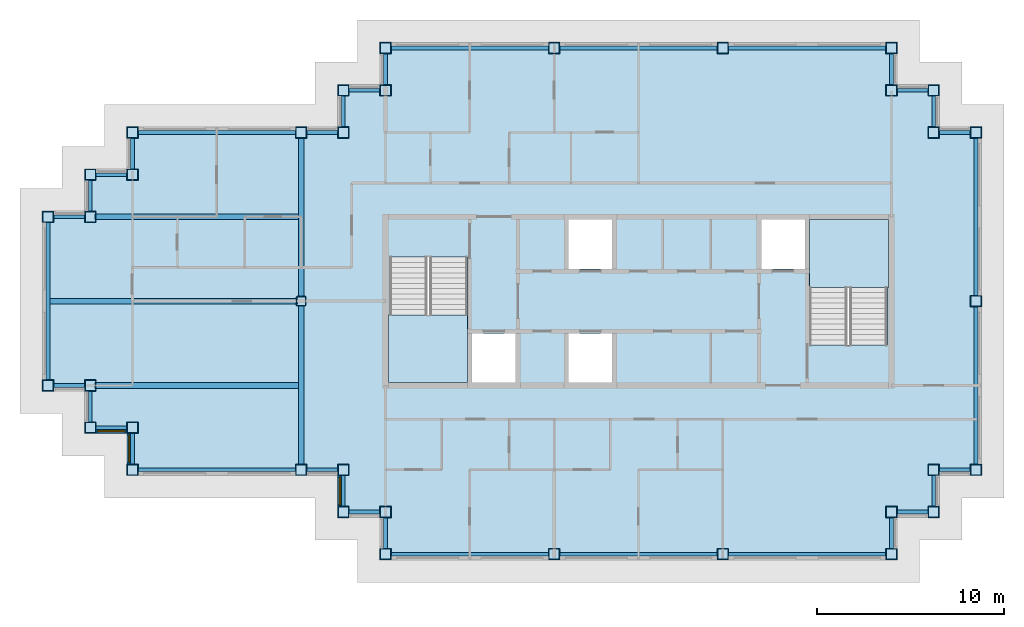
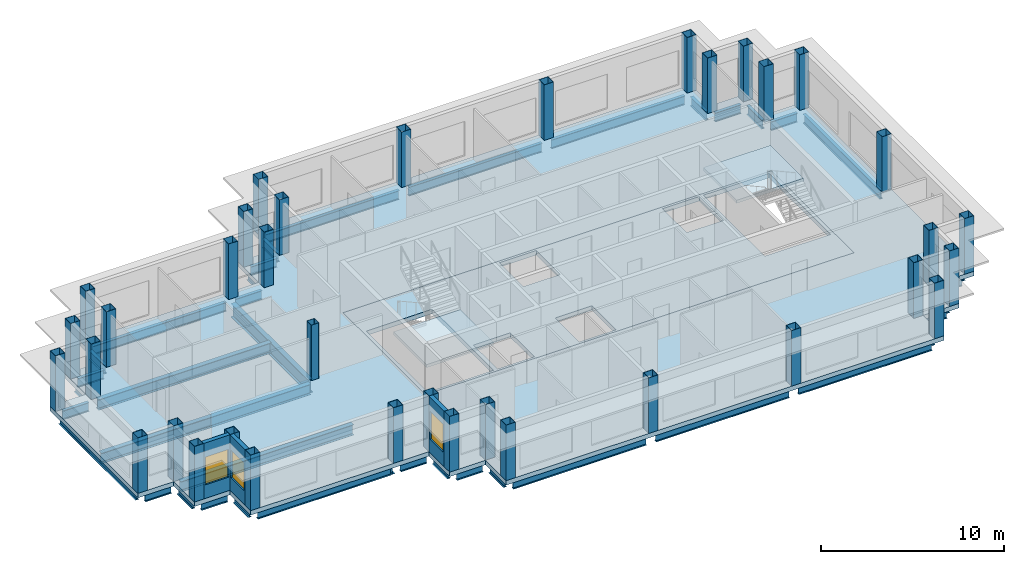
# One storey, part 1 of 11: 40 beams, 36 columns, 4 slabs, 3 walls, 3 windows, 3 openings, 2 elements without a shape of their own.
"""IFC4 building model written with IfcOpenShell, lengths in metres."""

from ifc_helpers import new_model, si_unit, direction, frame, frame_2d, origin, origin_2d, place, context, subcontext, project, spatial, polyline, rectangle, hollow_rectangle, i_section, outline, extrude, material, layer, layer_set, material_profile, profile_set, type_object, element, fill, aggregate, save


model = new_model("IFC4")

# Units and contexts
model_context = context("Model", 3, precision=1e-05, world=origin(), true_north=direction((0.0, 1.0)))
body_context = subcontext(model_context, "Body", "Model", "MODEL_VIEW")
ifc_project = project(units=[si_unit("LENGTHUNIT", "METRE"), si_unit("AREAUNIT", "SQUARE_METRE"), si_unit("VOLUMEUNIT", "CUBIC_METRE"), si_unit("PLANEANGLEUNIT", "RADIAN"), si_unit("MASSUNIT", "GRAM", prefix="KILO")], contexts=[model_context])

# Site, building, storey
site_placement = place(None, origin())
site = spatial("IfcSite", under=ifc_project, at=site_placement, CompositionType="ELEMENT")
building_placement = place(site_placement, origin())
building = spatial("IfcBuilding", under=site, at=building_placement, Name="Caravel Reach Hotel and Residences", CompositionType="ELEMENT")
storey_placement = place(building_placement, frame((0.0, 0.0, 256.39990234375)))
storey = spatial("IfcBuildingStorey", under=building, at=storey_placement, Name="L65", CompositionType="ELEMENT", Elevation=256.39990234375)

# Columns
ifc_material_1 = material(Name="Concrete-filled steel tube Q390B with Concrete C60 infill", Category="concrete")
ifc_material_profile_1 = material_profile(ifc_material_1, hollow_rectangle(XDim=0.5, YDim=0.5, WallThickness=0.01611328125, InnerFilletRadius=0.031982421875, OuterFilletRadius=0.048095703125, at=origin_2d()), Name="RHS 500x500x16")
ifc_profile_set_1 = profile_set([ifc_material_profile_1], Name="Concrete-filled steel tube Q390B with Concrete C60 infill")
column_type_1 = type_object("IfcColumnType", Name="CFT 500x500 Q390B C60", PredefinedType="COLUMN", material=ifc_profile_set_1)
column_placement = place(storey_placement, frame((13.5, 27.0, 0.0), z_axis=(0.0, 0.0, 1.0), x_axis=(1.0, 0.0, 0.0)))
element("IfcColumn", 1, at=column_placement, inside=storey, type_object=column_type_1, Name="C9 column", PredefinedType="COLUMN", context=body_context, shape_type="SweptSolid", body=[
    extrude(hollow_rectangle(XDim=0.5, YDim=0.5, WallThickness=0.01611328125, InnerFilletRadius=0.031982421875, OuterFilletRadius=0.048095703125, at=origin_2d()), origin(), (0.0, 0.0, 1.0), 3.7001953125),
])
ifc_material_2 = material(Name="Concrete-filled steel tube Q390B with Concrete C60 infill", Category="concrete")
ifc_material_profile_2 = material_profile(ifc_material_2, hollow_rectangle(XDim=0.60009765625, YDim=0.60009765625, WallThickness=0.02001953125, at=origin_2d()), Name="RHS 600x600x20")
ifc_profile_set_2 = profile_set([ifc_material_profile_2], Name="Concrete-filled steel tube Q390B with Concrete C60 infill")
column_type_2 = type_object("IfcColumnType", Name="CFT 600x600 Q390B C60", PredefinedType="COLUMN", material=ifc_profile_set_2)
for number, where, z_axis, x_axis, name in (
    (2, (15.75, 18.0, 0.0), (0.0, 0.0, 1.0), (1.0, 0.0, 0.0), "C8 column"),
    (3, (15.75, 15.75, 0.0), (0.0, 0.0, 1.0), (1.0, 0.0, 0.0), "C8 column"),
    (4, (18.0, 15.75, 0.0), (0.0, 0.0, 1.0), (1.0, 0.0, 0.0), "C8 column"),
    (5, (18.0, 13.5, 0.0), (0.0, 0.0, 1.0), (1.0, 0.0, 0.0), "C8 column"),
    (6, (27.0, 13.5, 0.0), (0.0, 0.0, 1.0), (1.0, 0.0, 0.0), "C8 column"),
    (7, (36.0, 13.5, 0.0), (0.0, 0.0, 1.0), (1.0, 0.0, 0.0), "C8 column"),
    (8, (45.0, 13.5, 0.0), (0.0, 0.0, 1.0), (1.0, 0.0, 0.0), "C8 column"),
    (9, (45.0, 15.75, 0.0), (0.0, 0.0, 1.0), (1.0, 0.0, 0.0), "C8 column"),
    (10, (47.25, 15.75, 0.0), (0.0, 0.0, 1.0), (1.0, 0.0, 0.0), "C8 column"),
    (11, (47.25, 18.0, 0.0), (0.0, 0.0, 1.0), (1.0, 0.0, 0.0), "C8 column"),
    (12, (49.5, 18.0, 0.0), (0.0, 0.0, 1.0), (1.0, 0.0, 0.0), "C8 column"),
    (13, (49.5, 27.0, 0.0), (0.0, 0.0, 1.0), (1.0, 0.0, 0.0), "C8 column"),
    (14, (49.5, 36.0, 0.0), (0.0, 0.0, 1.0), (1.0, 0.0, 0.0), "C8 column"),
    (15, (47.25, 36.0, 0.0), (0.0, 0.0, 1.0), (1.0, 0.0, 0.0), "C8 column"),
    (16, (47.25, 38.25, 0.0), (0.0, 0.0, 1.0), (1.0, 0.0, 0.0), "C8 column"),
    (17, (45.0, 38.25, 0.0), (0.0, 0.0, 1.0), (1.0, 0.0, 0.0), "C8 column"),
    (18, (45.0, 40.5, 0.0), (0.0, 0.0, 1.0), (1.0, 0.0, 0.0), "C8 column"),
    (19, (36.0, 40.5, 0.0), (0.0, 0.0, 1.0), (1.0, 0.0, 0.0), "C8 column"),
    (20, (27.0, 40.5, 0.0), (0.0, 0.0, 1.0), (1.0, 0.0, 0.0), "C8 column"),
    (21, (18.0, 40.5, 0.0), (0.0, 0.0, 1.0), (1.0, 0.0, 0.0), "C8 column"),
    (22, (18.0, 38.25, 0.0), (0.0, 0.0, 1.0), (1.0, 0.0, 0.0), "C8 column"),
    (23, (15.75, 38.25, 0.0), (0.0, 0.0, 1.0), (1.0, 0.0, 0.0), "C8 column"),
    (24, (15.75, 36.0, 0.0), (0.0, 0.0, 1.0), (1.0, 0.0, 0.0), "C8 column"),
    (25, (13.5, 36.0, 0.0), (0.0, 0.0, 1.0), (1.0, 0.0, 0.0), "C8 column"),
    (26, (4.5, 36.0, 0.0), (0.0, 0.0, 1.0), (1.0, 0.0, 0.0), "C8 column"),
    (27, (4.5, 33.75, 0.0), (0.0, 0.0, 1.0), (1.0, 0.0, 0.0), "C8 column"),
    (28, (2.25, 33.75, 0.0), (0.0, 0.0, 1.0), (1.0, 0.0, 0.0), "C8 column"),
    (29, (2.25, 31.5, 0.0), (0.0, 0.0, 1.0), (1.0, 0.0, 0.0), "C8 column"),
    (30, (0.0, 31.5, 0.0), (0.0, 0.0, 1.0), (1.0, 0.0, 0.0), "C8 column"),
    (31, (0.0, 22.5, 0.0), (0.0, 0.0, 1.0), (1.0, 0.0, 0.0), "C8 column"),
    (32, (2.25, 22.5, 0.0), (0.0, 0.0, 1.0), (1.0, 0.0, 0.0), "C8 column"),
    (33, (2.25, 20.25, 0.0), (0.0, 0.0, 1.0), (1.0, 0.0, 0.0), "C8 column"),
    (34, (4.5, 20.25, 0.0), (0.0, 0.0, 1.0), (1.0, 0.0, 0.0), "C8 column"),
    (35, (4.5, 18.0, 0.0), (0.0, 0.0, 1.0), (1.0, 0.0, 0.0), "C8 column"),
    (36, (13.5, 18.0, 0.0), (0.0, 0.0, 1.0), (1.0, 0.0, 0.0), "C8 column"),
):
    element("IfcColumn", number, at=place(storey_placement, frame(where, z_axis=z_axis, x_axis=x_axis)), inside=storey, type_object=column_type_2, Name=name, PredefinedType="COLUMN", context=body_context, shape_type="SweptSolid", body=[
        extrude(hollow_rectangle(XDim=0.60009765625, YDim=0.60009765625, WallThickness=0.02001953125, at=origin_2d()), origin(), (0.0, 0.0, 1.0), 3.7001953125),
    ])

# Beams
ifc_material_3 = material(Name="Structural steel Q355B", Category="steel")
ifc_material_profile_3 = material_profile(ifc_material_3, i_section(OverallWidth=0.300048828125, OverallDepth=0.699951171875, WebThickness=0.012939453125, FlangeThickness=0.02392578125, FilletRadius=0.01806640625, at=origin_2d()), Name="HN 700x300x13x24")
ifc_profile_set_3 = profile_set([ifc_material_profile_3], Name="Structural steel Q355B")
beam_type_1 = type_object("IfcBeamType", Name="Beam HN 700x300x13x24", PredefinedType="BEAM", material=ifc_profile_set_3)
beam_1_placement = place(storey_placement, frame((13.39990234375, 22.5, -0.64990234375), z_axis=(-1.0, 0.0, 0.0), x_axis=(0.0, -1.0, 0.0)))
element("IfcBeam", 37, at=beam_1_placement, inside=storey, type_object=beam_type_1, Name="B2 HN 700x300x13x24", PredefinedType="BEAM", context=body_context, shape_type="SweptSolid", body=[
    extrude(i_section(OverallWidth=0.300048828125, OverallDepth=0.699951171875, WebThickness=0.012939453125, FlangeThickness=0.02392578125, FilletRadius=0.01806640625, at=origin_2d()), origin(), (0.0, 0.0, 1.0), 10.89990234375),
])
beam_2_placement = place(storey_placement, frame((13.300048828125, 27.0, -0.64990234375), z_axis=(-1.0, 0.0, 0.0), x_axis=(0.0, -1.0, 0.0)))
element("IfcBeam", 38, at=beam_2_placement, inside=storey, type_object=beam_type_1, Name="B2 HN 700x300x13x24", PredefinedType="BEAM", context=body_context, shape_type="SweptSolid", body=[
    extrude(i_section(OverallWidth=0.300048828125, OverallDepth=0.699951171875, WebThickness=0.012939453125, FlangeThickness=0.02392578125, FilletRadius=0.01806640625, at=origin_2d()), origin(), (0.0, 0.0, 1.0), 13.199951171875),
])
beam_3_placement = place(storey_placement, frame((13.39990234375, 31.5, -0.64990234375), z_axis=(-1.0, 0.0, 0.0), x_axis=(0.0, -1.0, 0.0)))
element("IfcBeam", 39, at=beam_3_placement, inside=storey, type_object=beam_type_1, Name="B2 HN 700x300x13x24", PredefinedType="BEAM", context=body_context, shape_type="SweptSolid", body=[
    extrude(i_section(OverallWidth=0.300048828125, OverallDepth=0.699951171875, WebThickness=0.012939453125, FlangeThickness=0.02392578125, FilletRadius=0.01806640625, at=origin_2d()), origin(), (0.0, 0.0, 1.0), 10.89990234375),
])
ifc_material_4 = material(Name="Structural steel Q355B", Category="steel")
ifc_material_profile_4 = material_profile(ifc_material_4, i_section(OverallWidth=0.300048828125, OverallDepth=0.89990234375, WebThickness=0.01611328125, FlangeThickness=0.028076171875, FilletRadius=0.01806640625, at=origin_2d()), Name="HN 900x300x16x28")
ifc_profile_set_4 = profile_set([ifc_material_profile_4], Name="Structural steel Q355B")
beam_type_2 = type_object("IfcBeamType", Name="Beam HN 900x300x16x28", PredefinedType="BEAM", material=ifc_profile_set_4)
for number, where, z_axis, x_axis, name in (
    (40, (13.5, 18.300048828125, -0.75), (0.0, 1.0, 0.0), (-1.0, 0.0, 0.0), "B3 HN 900x300x16x28"),
    (41, (13.5, 27.25, -0.75), (0.0, 1.0, 0.0), (-1.0, 0.0, 0.0), "B3 HN 900x300x16x28"),
):
    element("IfcBeam", number, at=place(storey_placement, frame(where, z_axis=z_axis, x_axis=x_axis)), inside=storey, type_object=beam_type_2, Name=name, PredefinedType="BEAM", context=body_context, shape_type="SweptSolid", body=[
        extrude(i_section(OverallWidth=0.300048828125, OverallDepth=0.89990234375, WebThickness=0.01611328125, FlangeThickness=0.028076171875, FilletRadius=0.01806640625, at=origin_2d()), origin(), (0.0, 0.0, 1.0), 8.449951171875),
    ])
ifc_material_5 = material(Name="Structural steel Q355B", Category="steel")
ifc_material_profile_5 = material_profile(ifc_material_5, i_section(OverallWidth=0.199951171875, OverallDepth=0.60009765625, WebThickness=0.010986328125, FlangeThickness=0.01708984375, FilletRadius=0.012939453125, at=origin_2d()), Name="HN 600x200x11x17")
ifc_profile_set_5 = profile_set([ifc_material_profile_5], Name="Structural steel Q355B")
beam_type_3 = type_object("IfcBeamType", Name="Spandrel beam HN 600x200x11x17", PredefinedType="SPANDREL", material=ifc_profile_set_5)
for number, where, z_axis, x_axis, name in (
    (42, (15.75, 17.699951171875, -0.599853515625), (0.0, -1.0, 0.0), (1.0, 0.0, 0.0), "SP1 HN 600x200x11x17"),
    (43, (16.050048828125, 15.75, -0.599853515625), (1.0, 0.0, 0.0), (0.0, 1.0, 0.0), "SP1 HN 600x200x11x17"),
    (44, (18.0, 15.449951171875, -0.599853515625), (0.0, -1.0, 0.0), (1.0, 0.0, 0.0), "SP1 HN 600x200x11x17"),
):
    element("IfcBeam", number, at=place(storey_placement, frame(where, z_axis=z_axis, x_axis=x_axis)), inside=storey, type_object=beam_type_3, Name=name, PredefinedType="SPANDREL", context=body_context, shape_type="SweptSolid", body=[
        extrude(i_section(OverallWidth=0.199951171875, OverallDepth=0.60009765625, WebThickness=0.010986328125, FlangeThickness=0.01708984375, FilletRadius=0.012939453125, at=origin_2d()), origin(), (0.0, 0.0, 1.0), 1.64990234375),
    ])
for number, where, z_axis, x_axis, name in (
    (45, (18.300048828125, 13.5, -0.599853515625), (1.0, 0.0, 0.0), (0.0, 1.0, 0.0), "SP1 HN 600x200x11x17"),
    (46, (27.300048828125, 13.5, -0.599853515625), (1.0, 0.0, 0.0), (0.0, 1.0, 0.0), "SP1 HN 600x200x11x17"),
    (47, (36.300048828125, 13.5, -0.599853515625), (1.0, 0.0, 0.0), (0.0, 1.0, 0.0), "SP1 HN 600x200x11x17"),
):
    element("IfcBeam", number, at=place(storey_placement, frame(where, z_axis=z_axis, x_axis=x_axis)), inside=storey, type_object=beam_type_3, Name=name, PredefinedType="SPANDREL", context=body_context, shape_type="SweptSolid", body=[
        extrude(i_section(OverallWidth=0.199951171875, OverallDepth=0.60009765625, WebThickness=0.010986328125, FlangeThickness=0.01708984375, FilletRadius=0.012939453125, at=origin_2d()), origin(), (0.0, 0.0, 1.0), 8.39990234375),
    ])
for number, where, z_axis, x_axis, name in (
    (48, (45.0, 13.800048828125, -0.599853515625), (0.0, 1.0, 0.0), (-1.0, 0.0, 0.0), "SP1 HN 600x200x11x17"),
    (49, (45.300048828125, 15.75, -0.599853515625), (1.0, 0.0, 0.0), (0.0, 1.0, 0.0), "SP1 HN 600x200x11x17"),
    (50, (47.25, 16.050048828125, -0.599853515625), (0.0, 1.0, 0.0), (-1.0, 0.0, 0.0), "SP1 HN 600x200x11x17"),
    (51, (47.550048828125, 18.0, -0.599853515625), (1.0, 0.0, 0.0), (0.0, 1.0, 0.0), "SP1 HN 600x200x11x17"),
):
    element("IfcBeam", number, at=place(storey_placement, frame(where, z_axis=z_axis, x_axis=x_axis)), inside=storey, type_object=beam_type_3, Name=name, PredefinedType="SPANDREL", context=body_context, shape_type="SweptSolid", body=[
        extrude(i_section(OverallWidth=0.199951171875, OverallDepth=0.60009765625, WebThickness=0.010986328125, FlangeThickness=0.01708984375, FilletRadius=0.012939453125, at=origin_2d()), origin(), (0.0, 0.0, 1.0), 1.64990234375),
    ])
for number, where, z_axis, x_axis, name in (
    (52, (49.5, 18.300048828125, -0.599853515625), (0.0, 1.0, 0.0), (-1.0, 0.0, 0.0), "SP1 HN 600x200x11x17"),
    (53, (49.5, 27.300048828125, -0.599853515625), (0.0, 1.0, 0.0), (-1.0, 0.0, 0.0), "SP1 HN 600x200x11x17"),
):
    element("IfcBeam", number, at=place(storey_placement, frame(where, z_axis=z_axis, x_axis=x_axis)), inside=storey, type_object=beam_type_3, Name=name, PredefinedType="SPANDREL", context=body_context, shape_type="SweptSolid", body=[
        extrude(i_section(OverallWidth=0.199951171875, OverallDepth=0.60009765625, WebThickness=0.010986328125, FlangeThickness=0.01708984375, FilletRadius=0.012939453125, at=origin_2d()), origin(), (0.0, 0.0, 1.0), 8.39990234375),
    ])
for number, where, z_axis, x_axis, name in (
    (54, (49.199951171875, 36.0, -0.599853515625), (-1.0, 0.0, 0.0), (0.0, -1.0, 0.0), "SP1 HN 600x200x11x17"),
    (55, (47.25, 36.300048828125, -0.599853515625), (0.0, 1.0, 0.0), (-1.0, 0.0, 0.0), "SP1 HN 600x200x11x17"),
    (56, (46.949951171875, 38.25, -0.599853515625), (-1.0, 0.0, 0.0), (0.0, -1.0, 0.0), "SP1 HN 600x200x11x17"),
    (57, (45.0, 38.550048828125, -0.599853515625), (0.0, 1.0, 0.0), (-1.0, 0.0, 0.0), "SP1 HN 600x200x11x17"),
):
    element("IfcBeam", number, at=place(storey_placement, frame(where, z_axis=z_axis, x_axis=x_axis)), inside=storey, type_object=beam_type_3, Name=name, PredefinedType="SPANDREL", context=body_context, shape_type="SweptSolid", body=[
        extrude(i_section(OverallWidth=0.199951171875, OverallDepth=0.60009765625, WebThickness=0.010986328125, FlangeThickness=0.01708984375, FilletRadius=0.012939453125, at=origin_2d()), origin(), (0.0, 0.0, 1.0), 1.64990234375),
    ])
for number, where, z_axis, x_axis, name in (
    (58, (44.699951171875, 40.5, -0.599853515625), (-1.0, 0.0, 0.0), (0.0, -1.0, 0.0), "SP1 HN 600x200x11x17"),
    (59, (35.699951171875, 40.5, -0.599853515625), (-1.0, 0.0, 0.0), (0.0, -1.0, 0.0), "SP1 HN 600x200x11x17"),
    (60, (26.699951171875, 40.5, -0.599853515625), (-1.0, 0.0, 0.0), (0.0, -1.0, 0.0), "SP1 HN 600x200x11x17"),
):
    element("IfcBeam", number, at=place(storey_placement, frame(where, z_axis=z_axis, x_axis=x_axis)), inside=storey, type_object=beam_type_3, Name=name, PredefinedType="SPANDREL", context=body_context, shape_type="SweptSolid", body=[
        extrude(i_section(OverallWidth=0.199951171875, OverallDepth=0.60009765625, WebThickness=0.010986328125, FlangeThickness=0.01708984375, FilletRadius=0.012939453125, at=origin_2d()), origin(), (0.0, 0.0, 1.0), 8.39990234375),
    ])
for number, where, z_axis, x_axis, name in (
    (61, (18.0, 40.199951171875, -0.599853515625), (0.0, -1.0, 0.0), (1.0, 0.0, 0.0), "SP1 HN 600x200x11x17"),
    (62, (17.699951171875, 38.25, -0.599853515625), (-1.0, 0.0, 0.0), (0.0, -1.0, 0.0), "SP1 HN 600x200x11x17"),
    (63, (15.75, 37.949951171875, -0.599853515625), (0.0, -1.0, 0.0), (1.0, 0.0, 0.0), "SP1 HN 600x200x11x17"),
    (64, (15.449951171875, 36.0, -0.599853515625), (-1.0, 0.0, 0.0), (0.0, -1.0, 0.0), "SP1 HN 600x200x11x17"),
):
    element("IfcBeam", number, at=place(storey_placement, frame(where, z_axis=z_axis, x_axis=x_axis)), inside=storey, type_object=beam_type_3, Name=name, PredefinedType="SPANDREL", context=body_context, shape_type="SweptSolid", body=[
        extrude(i_section(OverallWidth=0.199951171875, OverallDepth=0.60009765625, WebThickness=0.010986328125, FlangeThickness=0.01708984375, FilletRadius=0.012939453125, at=origin_2d()), origin(), (0.0, 0.0, 1.0), 1.64990234375),
    ])
beam_4_placement = place(storey_placement, frame((13.199951171875, 36.0, -0.599853515625), z_axis=(-1.0, 0.0, 0.0), x_axis=(0.0, -1.0, 0.0)))
element("IfcBeam", 65, at=beam_4_placement, inside=storey, type_object=beam_type_3, Name="SP1 HN 600x200x11x17", PredefinedType="SPANDREL", context=body_context, shape_type="SweptSolid", body=[
    extrude(i_section(OverallWidth=0.199951171875, OverallDepth=0.60009765625, WebThickness=0.010986328125, FlangeThickness=0.01708984375, FilletRadius=0.012939453125, at=origin_2d()), origin(), (0.0, 0.0, 1.0), 8.39990234375),
])
for number, where, z_axis, x_axis, name in (
    (66, (4.5, 35.699951171875, -0.599853515625), (0.0, -1.0, 0.0), (1.0, 0.0, 0.0), "SP1 HN 600x200x11x17"),
    (67, (4.199951171875, 33.75, -0.599853515625), (-1.0, 0.0, 0.0), (0.0, -1.0, 0.0), "SP1 HN 600x200x11x17"),
    (68, (2.25, 33.449951171875, -0.599853515625), (0.0, -1.0, 0.0), (1.0, 0.0, 0.0), "SP1 HN 600x200x11x17"),
    (69, (1.949951171875, 31.5, -0.599853515625), (-1.0, 0.0, 0.0), (0.0, -1.0, 0.0), "SP1 HN 600x200x11x17"),
):
    element("IfcBeam", number, at=place(storey_placement, frame(where, z_axis=z_axis, x_axis=x_axis)), inside=storey, type_object=beam_type_3, Name=name, PredefinedType="SPANDREL", context=body_context, shape_type="SweptSolid", body=[
        extrude(i_section(OverallWidth=0.199951171875, OverallDepth=0.60009765625, WebThickness=0.010986328125, FlangeThickness=0.01708984375, FilletRadius=0.012939453125, at=origin_2d()), origin(), (0.0, 0.0, 1.0), 1.64990234375),
    ])
beam_5_placement = place(storey_placement, frame((0.0, 31.199951171875, -0.599853515625), z_axis=(0.0, -1.0, 0.0), x_axis=(1.0, 0.0, 0.0)))
element("IfcBeam", 70, at=beam_5_placement, inside=storey, type_object=beam_type_3, Name="SP1 HN 600x200x11x17", PredefinedType="SPANDREL", context=body_context, shape_type="SweptSolid", body=[
    extrude(i_section(OverallWidth=0.199951171875, OverallDepth=0.60009765625, WebThickness=0.010986328125, FlangeThickness=0.01708984375, FilletRadius=0.012939453125, at=origin_2d()), origin(), (0.0, 0.0, 1.0), 8.39990234375),
])
for number, where, z_axis, x_axis, name in (
    (71, (0.300048828125, 22.5, -0.599853515625), (1.0, 0.0, 0.0), (0.0, 1.0, 0.0), "SP1 HN 600x200x11x17"),
    (72, (2.25, 22.199951171875, -0.599853515625), (0.0, -1.0, 0.0), (1.0, 0.0, 0.0), "SP1 HN 600x200x11x17"),
    (73, (2.550048828125, 20.25, -0.599853515625), (1.0, 0.0, 0.0), (0.0, 1.0, 0.0), "SP1 HN 600x200x11x17"),
    (74, (4.5, 19.949951171875, -0.599853515625), (0.0, -1.0, 0.0), (1.0, 0.0, 0.0), "SP1 HN 600x200x11x17"),
):
    element("IfcBeam", number, at=place(storey_placement, frame(where, z_axis=z_axis, x_axis=x_axis)), inside=storey, type_object=beam_type_3, Name=name, PredefinedType="SPANDREL", context=body_context, shape_type="SweptSolid", body=[
        extrude(i_section(OverallWidth=0.199951171875, OverallDepth=0.60009765625, WebThickness=0.010986328125, FlangeThickness=0.01708984375, FilletRadius=0.012939453125, at=origin_2d()), origin(), (0.0, 0.0, 1.0), 1.64990234375),
    ])
beam_6_placement = place(storey_placement, frame((4.800048828125, 18.0, -0.599853515625), z_axis=(1.0, 0.0, 0.0), x_axis=(0.0, 1.0, 0.0)))
element("IfcBeam", 75, at=beam_6_placement, inside=storey, type_object=beam_type_3, Name="SP1 HN 600x200x11x17", PredefinedType="SPANDREL", context=body_context, shape_type="SweptSolid", body=[
    extrude(i_section(OverallWidth=0.199951171875, OverallDepth=0.60009765625, WebThickness=0.010986328125, FlangeThickness=0.01708984375, FilletRadius=0.012939453125, at=origin_2d()), origin(), (0.0, 0.0, 1.0), 8.39990234375),
])
beam_7_placement = place(storey_placement, frame((13.800048828125, 18.0, -0.599853515625), z_axis=(1.0, 0.0, 0.0), x_axis=(0.0, 1.0, 0.0)))
element("IfcBeam", 76, at=beam_7_placement, inside=storey, type_object=beam_type_3, Name="SP1 HN 600x200x11x17", PredefinedType="SPANDREL", context=body_context, shape_type="SweptSolid", body=[
    extrude(i_section(OverallWidth=0.199951171875, OverallDepth=0.60009765625, WebThickness=0.010986328125, FlangeThickness=0.01708984375, FilletRadius=0.012939453125, at=origin_2d()), origin(), (0.0, 0.0, 1.0), 1.64990234375),
])

# Slab
ifc_material_6 = material(Name="Concrete C40", Category="concrete")
ifc_layer_1 = layer(ifc_material_6, 0.300048828125)
ifc_layer_set_1 = layer_set([ifc_layer_1], Name="Core floor slab 300 mm")
slab_type_1 = type_object("IfcSlabType", Name="Core floor slab 300 mm", PredefinedType="FLOOR", material=ifc_layer_set_1)
slab_1_placement = place(storey_placement, frame((0.0, 0.0, -0.2998046875)))
element("IfcSlab", 77, at=slab_1_placement, inside=storey, type_object=slab_type_1, Name="L65 core floor", PredefinedType="FLOOR", context=body_context, shape_type="SweptSolid", body=[
    extrude(outline(polyline([(18.0, 31.5), (45.0, 31.5), (45.0, 22.5), (18.0, 22.5), (18.0, 31.5)]), holes=[polyline([(22.625, 22.64990234375), (24.9462890625, 22.64990234375), (24.9462890625, 25.27490234375), (22.625, 25.27490234375), (22.625, 22.64990234375)]), polyline([(27.767822265625, 25.27490234375), (27.767822265625, 22.64990234375), (30.08935546875, 22.64990234375), (30.08935546875, 25.27490234375), (27.767822265625, 25.27490234375)]), polyline([(22.375, 22.64990234375), (22.375, 29.35009765625), (18.22509765625, 29.35009765625), (18.22509765625, 22.64990234375), (22.375, 22.64990234375)]), polyline([(40.625, 24.64990234375), (44.77490234375, 24.64990234375), (44.77490234375, 31.35009765625), (40.625, 31.35009765625), (40.625, 24.64990234375)]), polyline([(27.767822265625, 31.35009765625), (27.767822265625, 28.72509765625), (30.08935546875, 28.72509765625), (30.08935546875, 31.35009765625), (27.767822265625, 31.35009765625)]), polyline([(38.0537109375, 31.35009765625), (38.0537109375, 28.72509765625), (40.375, 28.72509765625), (40.375, 31.35009765625), (38.0537109375, 31.35009765625)])]), origin(), (0.0, 0.0, 1.0), 0.2998046875),
])

# Stair, slab
ifc_material_7 = material(Name="Concrete C40", Category="concrete")
stair_type = type_object("IfcStairType", Name="Core stair", PredefinedType="HALF_TURN_STAIR", material=ifc_material_7)
stair_1_placement = place(storey_placement, origin())
stair_1 = element("IfcStair", 78, at=stair_1_placement, inside=storey, type_object=stair_type, Name="L65 Exit stair A", PredefinedType="HALF_TURN_STAIR")
ifc_material_8 = material(Name="Concrete C40", Category="concrete")
ifc_layer_2 = layer(ifc_material_8, 0.199951171875)
ifc_layer_set_2 = layer_set([ifc_layer_2], Name="Core stair landing")
slab_type_2 = type_object("IfcSlabType", Name="Core stair landing", PredefinedType="LANDING", material=ifc_layer_set_2)
slab_2_placement = place(storey_placement, frame((0.0, 0.0, 1.650146484375)))
slab_2 = element("IfcSlab", 79, at=slab_2_placement, type_object=slab_type_2, Name="ST-A landing 1", PredefinedType="LANDING", context=body_context, shape_type="SweptSolid", body=[
    extrude(outline(polyline([(18.14990234375, 26.27001953125), (18.14990234375, 22.64990234375), (22.375, 22.64990234375), (22.375, 26.27001953125), (18.14990234375, 26.27001953125)])), origin(), (0.0, 0.0, 1.0), 0.199951171875),
])
aggregate(stair_1, [slab_2])

stair_2_placement = place(storey_placement, origin())
stair_2 = element("IfcStair", 80, at=stair_2_placement, inside=storey, type_object=stair_type, Name="L65 Exit stair B", PredefinedType="HALF_TURN_STAIR")
slab_3_placement = place(storey_placement, frame((0.0, 0.0, 1.650146484375)))
slab_3 = element("IfcSlab", 81, at=slab_3_placement, type_object=slab_type_2, Name="ST-B landing 1", PredefinedType="LANDING", context=body_context, shape_type="SweptSolid", body=[
    extrude(outline(polyline([(44.85009765625, 27.72998046875), (44.85009765625, 31.35009765625), (40.625, 31.35009765625), (40.625, 27.72998046875), (44.85009765625, 27.72998046875)])), origin(), (0.0, 0.0, 1.0), 0.199951171875),
])
aggregate(stair_2, [slab_3])

# Slab
ifc_material_9 = material(Name="Concrete C40 post-tensioned", Category="concrete")
ifc_layer_3 = layer(ifc_material_9, 0.300048828125)
ifc_layer_set_3 = layer_set([ifc_layer_3], Name="Floor slab 300")
slab_type_3 = type_object("IfcSlabType", Name="Floor slab 300", PredefinedType="FLOOR", material=ifc_layer_set_3)
slab_4_placement = place(storey_placement, frame((0.0, 0.0, -0.2998046875)))
element("IfcSlab", 82, at=slab_4_placement, inside=storey, type_object=slab_type_3, Name="S2 slab L65", PredefinedType="FLOOR", context=body_context, shape_type="SweptSolid", body=[
    extrude(outline(polyline([(4.199951171875, 19.949951171875), (1.949951171875, 19.949951171875), (1.949951171875, 22.199951171875), (-0.300048828125, 22.199951171875), (-0.300048828125, 31.800048828125), (1.949951171875, 31.800048828125), (1.949951171875, 34.050048828125), (4.199951171875, 34.050048828125), (4.199951171875, 36.300048828125), (15.449951171875, 36.300048828125), (15.449951171875, 38.550048828125), (17.699951171875, 38.550048828125), (17.699951171875, 40.800048828125), (45.300048828125, 40.800048828125), (45.300048828125, 38.550048828125), (47.550048828125, 38.550048828125), (47.550048828125, 36.300048828125), (49.800048828125, 36.300048828125), (49.800048828125, 17.699951171875), (47.550048828125, 17.699951171875), (47.550048828125, 15.449951171875), (45.300048828125, 15.449951171875), (45.300048828125, 13.199951171875), (17.699951171875, 13.199951171875), (17.699951171875, 15.449951171875), (15.449951171875, 15.449951171875), (15.449951171875, 17.699951171875), (4.199951171875, 17.699951171875), (4.199951171875, 19.949951171875)]), holes=[polyline([(45.0, 31.5), (18.0, 31.5), (18.0, 22.5), (45.0, 22.5), (45.0, 31.5)])]), origin(), (0.0, 0.0, 1.0), 0.2998046875),
])

# Wall, opening, window
ifc_material_10 = material(Name="Insulated rainscreen wall, aluminium cladding", Category="aluminium")
ifc_layer_4 = layer(ifc_material_10, 0.25)
ifc_layer_set_4 = layer_set([ifc_layer_4], Name="EW1 Tower rainscreen wall")
wall_type = type_object("IfcWallType", Name="EW1 Tower rainscreen wall", PredefinedType="SOLIDWALL", material=ifc_layer_set_4)
wall_1_placement = place(storey_placement, frame((15.574951171875, 17.699951171875, 0.0), z_axis=(0.0, 0.0, 1.0), x_axis=(0.0, -1.0, 0.0)))
wall_1 = element("IfcWall", 83, at=wall_1_placement, inside=storey, type_object=wall_type, Name="External wall L65 W1.1", PredefinedType="SOLIDWALL", context=body_context, shape_type="SweptSolid", body=[
    extrude(rectangle(XDim=1.64990234375, YDim=0.25, at=frame_2d((0.824951171875, 0.0))), origin(), (0.0, 0.0, 1.0), 3.7001953125),
])
opening_1_placement = place(wall_1_placement, frame((0.10009765625, 0.0, 0.89990234375)))
opening_1 = element("IfcOpeningElement", 84, at=opening_1_placement, cuts=wall_1, Name="Opening WN25", PredefinedType="OPENING", context=body_context, shape_type="SweptSolid", body=[
    extrude(rectangle(XDim=1.449951171875, YDim=1.85009765625, at=frame_2d((0.72509765625, 0.925048828125))), frame((0.0, 0.135009765625, 0.0), z_axis=(0.0, -1.0, 0.0), x_axis=(1.0, 0.0, 0.0)), (0.0, 0.0, 1.0), 0.27001953125),
])
ifc_material_11 = material(Name="Dark low-e glazing in black aluminium frame", Category="aluminium")
window_type = type_object("IfcWindowType", Name="Residence bedroom window 1450 x 1850", PartitioningType="SINGLE_PANEL", PredefinedType="WINDOW", material=ifc_material_11)
window_1_placement = place(opening_1_placement, origin())
window_1 = element("IfcWindow", 85, at=window_1_placement, inside=storey, type_object=window_type, Name="Window L65 W1.1.1", OverallHeight=1.85009765625, OverallWidth=1.449951171875, PartitioningType="SINGLE_PANEL", PredefinedType="WINDOW", context=body_context, shape_type="SweptSolid", body=[
    extrude(rectangle(XDim=1.449951171875, YDim=1.85009765625, at=frame_2d((0.72509765625, 0.925048828125))), frame((0.0, 0.030029296875, 0.0), z_axis=(0.0, -1.0, 0.0), x_axis=(1.0, 0.0, 0.0)), (0.0, 0.0, 1.0), 0.06005859375),
])
fill(opening_1, window_1)

wall_2_placement = place(storey_placement, frame((2.550048828125, 20.074951171875, 0.0), z_axis=(0.0, 0.0, 1.0), x_axis=(1.0, 0.0, 0.0)))
wall_2 = element("IfcWall", 86, at=wall_2_placement, inside=storey, type_object=wall_type, Name="External wall L65 S26.1", PredefinedType="SOLIDWALL", context=body_context, shape_type="SweptSolid", body=[
    extrude(rectangle(XDim=1.64990234375, YDim=0.25, at=frame_2d((0.824951171875, 0.0))), origin(), (0.0, 0.0, 1.0), 3.7001953125),
])
opening_2_placement = place(wall_2_placement, frame((0.10009765625, 0.0, 0.89990234375)))
opening_2 = element("IfcOpeningElement", 87, at=opening_2_placement, cuts=wall_2, Name="Opening WN25", PredefinedType="OPENING", context=body_context, shape_type="SweptSolid", body=[
    extrude(rectangle(XDim=1.449951171875, YDim=1.85009765625, at=frame_2d((0.72509765625, 0.925048828125))), frame((0.0, 0.135009765625, 0.0), z_axis=(0.0, -1.0, 0.0), x_axis=(1.0, 0.0, 0.0)), (0.0, 0.0, 1.0), 0.27001953125),
])
window_2_placement = place(opening_2_placement, origin())
window_2 = element("IfcWindow", 88, at=window_2_placement, inside=storey, type_object=window_type, Name="Window L65 S26.1.1", OverallHeight=1.85009765625, OverallWidth=1.449951171875, PartitioningType="SINGLE_PANEL", PredefinedType="WINDOW", context=body_context, shape_type="SweptSolid", body=[
    extrude(rectangle(XDim=1.449951171875, YDim=1.85009765625, at=frame_2d((0.72509765625, 0.925048828125))), frame((0.0, 0.030029296875, 0.0), z_axis=(0.0, -1.0, 0.0), x_axis=(1.0, 0.0, 0.0)), (0.0, 0.0, 1.0), 0.06005859375),
])
fill(opening_2, window_2)

wall_3_placement = place(storey_placement, frame((4.324951171875, 19.949951171875, 0.0), z_axis=(0.0, 0.0, 1.0), x_axis=(0.0, -1.0, 0.0)))
wall_3 = element("IfcWall", 89, at=wall_3_placement, inside=storey, type_object=wall_type, Name="External wall L65 W27.1", PredefinedType="SOLIDWALL", context=body_context, shape_type="SweptSolid", body=[
    extrude(rectangle(XDim=1.64990234375, YDim=0.25, at=frame_2d((0.824951171875, 0.0))), origin(), (0.0, 0.0, 1.0), 3.7001953125),
])
opening_3_placement = place(wall_3_placement, frame((0.10009765625, 0.0, 0.89990234375)))
opening_3 = element("IfcOpeningElement", 90, at=opening_3_placement, cuts=wall_3, Name="Opening WN25", PredefinedType="OPENING", context=body_context, shape_type="SweptSolid", body=[
    extrude(rectangle(XDim=1.449951171875, YDim=1.85009765625, at=frame_2d((0.72509765625, 0.925048828125))), frame((0.0, 0.135009765625, 0.0), z_axis=(0.0, -1.0, 0.0), x_axis=(1.0, 0.0, 0.0)), (0.0, 0.0, 1.0), 0.27001953125),
])
window_3_placement = place(opening_3_placement, origin())
window_3 = element("IfcWindow", 91, at=window_3_placement, inside=storey, type_object=window_type, Name="Window L65 W27.1.1", OverallHeight=1.85009765625, OverallWidth=1.449951171875, PartitioningType="SINGLE_PANEL", PredefinedType="WINDOW", context=body_context, shape_type="SweptSolid", body=[
    extrude(rectangle(XDim=1.449951171875, YDim=1.85009765625, at=frame_2d((0.72509765625, 0.925048828125))), frame((0.0, 0.030029296875, 0.0), z_axis=(0.0, -1.0, 0.0), x_axis=(1.0, 0.0, 0.0)), (0.0, 0.0, 1.0), 0.06005859375),
])
fill(opening_3, window_3)

save(model, "model.ifc")
